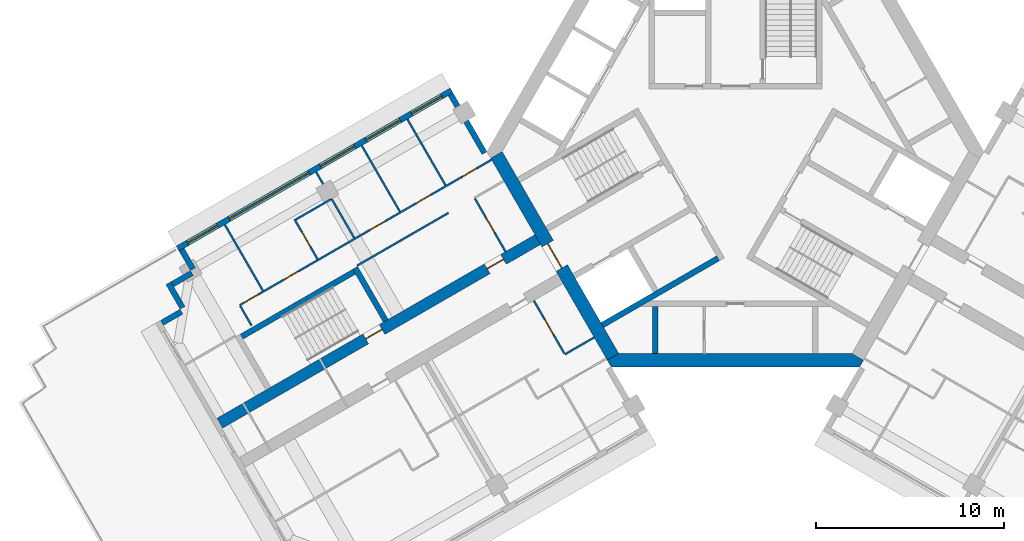
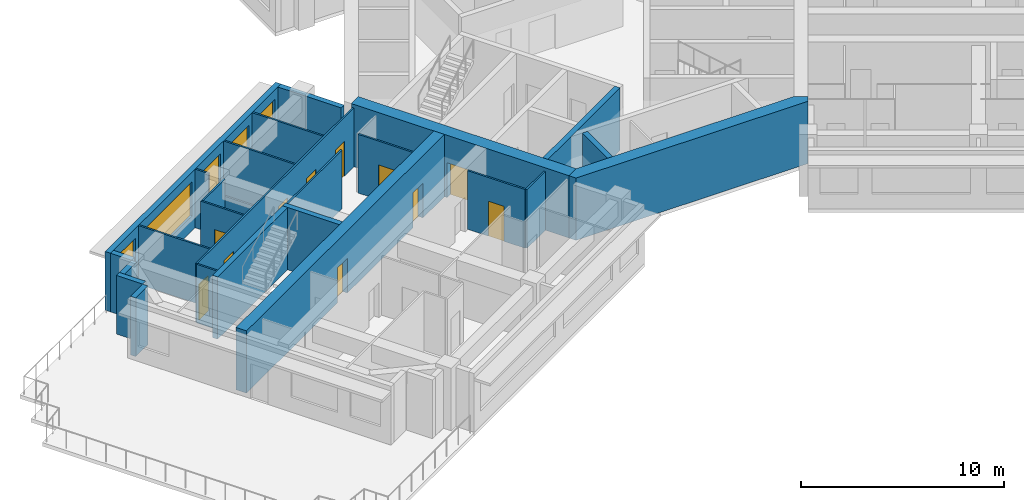
# One storey, part 3 of 11: 26 walls, 11 doors, 5 windows, 16 openings.
"""IFC4 building model written with IfcOpenShell, lengths in metres."""

from ifc_helpers import new_model, si_unit, direction, frame, frame_2d, origin, place, context, subcontext, project, spatial, polyline, rectangle, outline, extrude, material, layer, layer_set, type_object, element, fill, save


model = new_model("IFC4")

# Units and contexts
model_context = context("Model", 3, precision=1e-05, world=origin(), true_north=direction((0.0, 1.0)))
body_context = subcontext(model_context, "Body", "Model", "MODEL_VIEW")
ifc_project = project(units=[si_unit("LENGTHUNIT", "METRE"), si_unit("AREAUNIT", "SQUARE_METRE"), si_unit("VOLUMEUNIT", "CUBIC_METRE"), si_unit("PLANEANGLEUNIT", "RADIAN"), si_unit("MASSUNIT", "GRAM", prefix="KILO")], contexts=[model_context])

# Site, building, storey
site_placement = place(None, origin())
site = spatial("IfcSite", under=ifc_project, at=site_placement, CompositionType="ELEMENT")
building_placement = place(site_placement, origin())
building = spatial("IfcBuilding", under=site, at=building_placement, Name="Impinga Residences", CompositionType="ELEMENT")
storey_placement = place(building_placement, frame((0.0, 0.0, 218.5)))
storey = spatial("IfcBuildingStorey", under=building, at=storey_placement, Name="L54", CompositionType="ELEMENT", Elevation=218.5)

# Wall, openings, doors
ifc_material_1 = material(Name="Concrete C60/75", Category="concrete")
ifc_layer_1 = layer(ifc_material_1, 0.60009765625)
ifc_layer_set_1 = layer_set([ifc_layer_1], Name="Concrete C60/75")
wall_type_1 = type_object("IfcWallType", Name="BW3 corridor buttress wall, L46 to L73 600", PredefinedType="SHEAR", material=ifc_layer_set_1)
wall_1_placement = place(storey_placement, frame((-10.19677734375, -4.50146484375, 0.0), z_axis=(0.0, 0.0, 1.0), x_axis=(-0.866025214745, -0.500000327426, 0.0)))
wall_1 = element("IfcWall", 1, at=wall_1_placement, inside=storey, type_object=wall_type_1, Name="Corridor wall BW3 WD L54", PredefinedType="SHEAR", context=body_context, shape_type="SweptSolid", body=[
    extrude(rectangle(XDim=19.85009765625, YDim=0.60009765625, at=frame_2d((9.925048828125, 0.0))), origin(), (0.0, 0.0, 1.0), 3.75),
])
opening_1_placement = place(wall_1_placement, frame((9.89990234375, 0.0, 0.0)))
opening_1 = element("IfcOpeningElement", 2, at=opening_1_placement, cuts=wall_1, Name="Opening D5", PredefinedType="OPENING", context=body_context, shape_type="SweptSolid", body=[
    extrude(rectangle(XDim=1.0, YDim=2.10009765625, at=frame_2d((0.5, 1.050048828125))), frame((0.0, 0.31005859375, 0.0), z_axis=(0.0, -1.0, 0.0), x_axis=(1.0, 0.0, 0.0)), (0.0, 0.0, 1.0), 0.6201171875),
])
opening_2_placement = place(wall_1_placement, frame((2.449951171875, 0.0, 0.0)))
opening_2 = element("IfcOpeningElement", 3, at=opening_2_placement, cuts=wall_1, Name="Opening D1", PredefinedType="OPENING", context=body_context, shape_type="SweptSolid", body=[
    extrude(rectangle(XDim=1.0, YDim=2.10009765625, at=frame_2d((0.5, 1.050048828125))), frame((0.0, 0.31005859375, 0.0), z_axis=(0.0, -1.0, 0.0), x_axis=(1.0, 0.0, 0.0)), (0.0, 0.0, 1.0), 0.6201171875),
])
ifc_material_2 = material(Name="Timber door set", Category="wood")
door_type_1 = type_object("IfcDoorType", Name="D1 apartment entrance door 1000x2100", OperationType="SINGLE_SWING_LEFT", PredefinedType="DOOR", material=ifc_material_2)
door_1_placement = place(opening_2_placement, origin())
door_1 = element("IfcDoor", 4, at=door_1_placement, inside=storey, type_object=door_type_1, Name="Apartment L54-WF1 entrance", OperationType="SINGLE_SWING_LEFT", OverallHeight=2.10009765625, OverallWidth=1.0, PredefinedType="DOOR", context=body_context, shape_type="SweptSolid", body=[
    extrude(rectangle(XDim=1.0, YDim=2.10009765625, at=frame_2d((0.5, 1.050048828125))), frame((0.0, 0.02490234375, 0.0), z_axis=(0.0, -1.0, 0.0), x_axis=(1.0, 0.0, 0.0)), (0.0, 0.0, 1.0), 0.050048828125),
])
fill(opening_2, door_1)
door_type_2 = type_object("IfcDoorType", Name="D5 stair door 1000x2100", OperationType="SINGLE_SWING_LEFT", PredefinedType="DOOR", material=ifc_material_2)
door_2_placement = place(opening_1_placement, origin())
door_2 = element("IfcDoor", 5, at=door_2_placement, inside=storey, type_object=door_type_2, Name="Wing stair door W", OperationType="SINGLE_SWING_RIGHT", OverallHeight=2.10009765625, OverallWidth=1.0, PredefinedType="DOOR", context=body_context, shape_type="SweptSolid", body=[
    extrude(rectangle(XDim=1.0, YDim=2.10009765625, at=frame_2d((0.5, 1.050048828125))), frame((0.0, 0.02490234375, 0.0), z_axis=(0.0, -1.0, 0.0), x_axis=(1.0, 0.0, 0.0)), (0.0, 0.0, 1.0), 0.050048828125),
])
fill(opening_1, door_2)

# Walls
ifc_material_3 = material(Name="Terracotta rainscreen on blockwork", Category="masonry")
ifc_layer_2 = layer(ifc_material_3, 0.300048828125)
ifc_layer_set_2 = layer_set([ifc_layer_2], Name="EW1 external wall, terracotta rainscreen on blockwork 300")
wall_type_2 = type_object("IfcWallType", Name="EW1 external wall, terracotta rainscreen on blockwork 300", PredefinedType="SOLIDWALL", material=ifc_layer_set_2)
wall_2_placement = place(storey_placement, frame((-30.46240234375, -9.1005859375, 0.0), z_axis=(0.0, 0.0, 1.0), x_axis=(0.865971243484, 0.500093796661, 0.0)))
element("IfcWall", 6, at=wall_2_placement, inside=storey, type_object=wall_type_2, Name="External wall EW1 L54", PredefinedType="SOLIDWALL", context=body_context, shape_type="SweptSolid", body=[
    extrude(rectangle(XDim=1.195068359375, YDim=0.300048828125, at=frame_2d((0.59765625, 0.0))), origin(), (0.0, 0.0, 1.0), 3.530029296875),
])
wall_3_placement = place(storey_placement, frame((-29.368408203125, -8.295654296875, 0.0), z_axis=(0.0, 0.0, 1.0), x_axis=(-0.499990139034, 0.866031096941, 0.0)))
element("IfcWall", 7, at=wall_3_placement, inside=storey, type_object=wall_type_2, Name="External wall EW1 L54", PredefinedType="SOLIDWALL", context=body_context, shape_type="SweptSolid", body=[
    extrude(rectangle(XDim=1.5, YDim=0.300048828125, at=frame_2d((0.75, 0.0))), origin(), (0.0, 0.0, 1.0), 3.530029296875),
])
wall_4_placement = place(storey_placement, frame((-29.91357421875, -7.051513671875, 0.0), z_axis=(0.0, 0.0, 1.0), x_axis=(0.865971243484, 0.500093796661, 0.0)))
element("IfcWall", 8, at=wall_4_placement, inside=storey, type_object=wall_type_2, Name="External wall EW1 L54", PredefinedType="SOLIDWALL", context=body_context, shape_type="SweptSolid", body=[
    extrude(rectangle(XDim=1.195068359375, YDim=0.300048828125, at=frame_2d((0.59765625, 0.0))), origin(), (0.0, 0.0, 1.0), 3.530029296875),
])
wall_5_placement = place(storey_placement, frame((-28.8193359375, -6.24658203125, 0.0), z_axis=(0.0, 0.0, 1.0), x_axis=(-0.500033551112, 0.866006032174, 0.0)))
element("IfcWall", 9, at=wall_5_placement, inside=storey, type_object=wall_type_2, Name="External wall EW1 L54", PredefinedType="SOLIDWALL", context=body_context, shape_type="SweptSolid", body=[
    extrude(rectangle(XDim=1.2001953125, YDim=0.300048828125, at=frame_2d((0.60009765625, 0.0))), origin(), (0.0, 0.0, 1.0), 3.530029296875),
])

# Wall, openings, windows
wall_6_placement = place(storey_placement, frame((-29.624267578125, -5.15234375, 0.0), z_axis=(0.0, 0.0, 1.0), x_axis=(0.86602925447, 0.499993330357, 0.0)))
wall_6 = element("IfcWall", 10, at=wall_6_placement, inside=storey, type_object=wall_type_2, Name="External wall EW1 L54", PredefinedType="SOLIDWALL", context=body_context, shape_type="SweptSolid", body=[
    extrude(rectangle(XDim=16.800048828125, YDim=0.300048828125, at=frame_2d((8.39990234375, 0.0))), origin(), (0.0, 0.0, 1.0), 3.530029296875),
])
opening_3_placement = place(wall_6_placement, frame((0.60009765625, 0.0, 0.89990234375)))
opening_3 = element("IfcOpeningElement", 11, at=opening_3_placement, cuts=wall_6, Name="Opening W15", PredefinedType="OPENING", context=body_context, shape_type="SweptSolid", body=[
    extrude(rectangle(XDim=1.85009765625, YDim=2.050048828125, at=frame_2d((0.925048828125, 1.02490234375))), frame((0.0, 0.159912109375, 0.0), z_axis=(0.0, -1.0, 0.0), x_axis=(1.0, 0.0, 0.0)), (0.0, 0.0, 1.0), 0.320068359375),
])
opening_4_placement = place(wall_6_placement, frame((3.14990234375, 0.0, 0.89990234375)))
opening_4 = element("IfcOpeningElement", 12, at=opening_4_placement, cuts=wall_6, Name="Opening W16", PredefinedType="OPENING", context=body_context, shape_type="SweptSolid", body=[
    extrude(rectangle(XDim=4.89990234375, YDim=2.050048828125, at=frame_2d((2.449951171875, 1.02490234375))), frame((0.0, 0.159912109375, 0.0), z_axis=(0.0, -1.0, 0.0), x_axis=(1.0, 0.0, 0.0)), (0.0, 0.0, 1.0), 0.320068359375),
])
opening_5_placement = place(wall_6_placement, frame((8.75, 0.0, 0.89990234375)))
opening_5 = element("IfcOpeningElement", 13, at=opening_5_placement, cuts=wall_6, Name="Opening W9", PredefinedType="OPENING", context=body_context, shape_type="SweptSolid", body=[
    extrude(rectangle(XDim=2.10009765625, YDim=2.050048828125, at=frame_2d((1.050048828125, 1.02490234375))), frame((0.0, 0.159912109375, 0.0), z_axis=(0.0, -1.0, 0.0), x_axis=(1.0, 0.0, 0.0)), (0.0, 0.0, 1.0), 0.320068359375),
])
opening_6_placement = place(wall_6_placement, frame((11.550048828125, 0.0, 0.89990234375)))
opening_6 = element("IfcOpeningElement", 14, at=opening_6_placement, cuts=wall_6, Name="Opening W9", PredefinedType="OPENING", context=body_context, shape_type="SweptSolid", body=[
    extrude(rectangle(XDim=2.10009765625, YDim=2.050048828125, at=frame_2d((1.050048828125, 1.02490234375))), frame((0.0, 0.159912109375, 0.0), z_axis=(0.0, -1.0, 0.0), x_axis=(1.0, 0.0, 0.0)), (0.0, 0.0, 1.0), 0.320068359375),
])
opening_7_placement = place(wall_6_placement, frame((14.35009765625, 0.0, 0.89990234375)))
opening_7 = element("IfcOpeningElement", 15, at=opening_7_placement, cuts=wall_6, Name="Opening W15", PredefinedType="OPENING", context=body_context, shape_type="SweptSolid", body=[
    extrude(rectangle(XDim=1.85009765625, YDim=2.050048828125, at=frame_2d((0.925048828125, 1.02490234375))), frame((0.0, 0.159912109375, 0.0), z_axis=(0.0, -1.0, 0.0), x_axis=(1.0, 0.0, 0.0)), (0.0, 0.0, 1.0), 0.320068359375),
])
ifc_material_4 = material(Name="Aluminium window, clear double glazing", Category="aluminium")
window_type_1 = type_object("IfcWindowType", Name="W15 ribbon window 1850x2050", PartitioningType="SINGLE_PANEL", PredefinedType="WINDOW", material=ifc_material_4)
window_1_placement = place(opening_3_placement, origin())
window_1 = element("IfcWindow", 16, at=window_1_placement, inside=storey, type_object=window_type_1, Name="Window L54", OverallHeight=2.050048828125, OverallWidth=1.85009765625, PartitioningType="SINGLE_PANEL", PredefinedType="WINDOW", context=body_context, shape_type="SweptSolid", body=[
    extrude(rectangle(XDim=1.85009765625, YDim=2.050048828125, at=frame_2d((0.925048828125, 1.02490234375))), frame((0.0, 0.030029296875, 0.0), z_axis=(0.0, -1.0, 0.0), x_axis=(1.0, 0.0, 0.0)), (0.0, 0.0, 1.0), 0.06005859375),
])
fill(opening_3, window_1)
window_2_placement = place(opening_7_placement, origin())
window_2 = element("IfcWindow", 17, at=window_2_placement, inside=storey, type_object=window_type_1, Name="Window L54", OverallHeight=2.050048828125, OverallWidth=1.85009765625, PartitioningType="SINGLE_PANEL", PredefinedType="WINDOW", context=body_context, shape_type="SweptSolid", body=[
    extrude(rectangle(XDim=1.85009765625, YDim=2.050048828125, at=frame_2d((0.925048828125, 1.02490234375))), frame((0.0, 0.030029296875, 0.0), z_axis=(0.0, -1.0, 0.0), x_axis=(1.0, 0.0, 0.0)), (0.0, 0.0, 1.0), 0.06005859375),
])
fill(opening_7, window_2)
window_type_2 = type_object("IfcWindowType", Name="W16 ribbon window 4900x2050", PartitioningType="SINGLE_PANEL", PredefinedType="WINDOW", material=ifc_material_4)
window_3_placement = place(opening_4_placement, origin())
window_3 = element("IfcWindow", 18, at=window_3_placement, inside=storey, type_object=window_type_2, Name="Window L54", OverallHeight=2.050048828125, OverallWidth=4.89990234375, PartitioningType="SINGLE_PANEL", PredefinedType="WINDOW", context=body_context, shape_type="SweptSolid", body=[
    extrude(rectangle(XDim=4.89990234375, YDim=2.050048828125, at=frame_2d((2.449951171875, 1.02490234375))), frame((0.0, 0.030029296875, 0.0), z_axis=(0.0, -1.0, 0.0), x_axis=(1.0, 0.0, 0.0)), (0.0, 0.0, 1.0), 0.06005859375),
])
fill(opening_4, window_3)
window_type_3 = type_object("IfcWindowType", Name="W9 ribbon window 2100x2050", PartitioningType="SINGLE_PANEL", PredefinedType="WINDOW", material=ifc_material_4)
window_4_placement = place(opening_5_placement, origin())
window_4 = element("IfcWindow", 19, at=window_4_placement, inside=storey, type_object=window_type_3, Name="Window L54", OverallHeight=2.050048828125, OverallWidth=2.10009765625, PartitioningType="SINGLE_PANEL", PredefinedType="WINDOW", context=body_context, shape_type="SweptSolid", body=[
    extrude(rectangle(XDim=2.10009765625, YDim=2.050048828125, at=frame_2d((1.050048828125, 1.02490234375))), frame((0.0, 0.030029296875, 0.0), z_axis=(0.0, -1.0, 0.0), x_axis=(1.0, 0.0, 0.0)), (0.0, 0.0, 1.0), 0.06005859375),
])
fill(opening_5, window_4)
window_5_placement = place(opening_6_placement, origin())
window_5 = element("IfcWindow", 20, at=window_5_placement, inside=storey, type_object=window_type_3, Name="Window L54", OverallHeight=2.050048828125, OverallWidth=2.10009765625, PartitioningType="SINGLE_PANEL", PredefinedType="WINDOW", context=body_context, shape_type="SweptSolid", body=[
    extrude(rectangle(XDim=2.10009765625, YDim=2.050048828125, at=frame_2d((1.050048828125, 1.02490234375))), frame((0.0, 0.030029296875, 0.0), z_axis=(0.0, -1.0, 0.0), x_axis=(1.0, 0.0, 0.0)), (0.0, 0.0, 1.0), 0.06005859375),
])
fill(opening_6, window_5)

# Walls
wall_7_placement = place(storey_placement, frame((-15.1298828125, 3.042724609375, 0.0), z_axis=(0.0, 0.0, 1.0), x_axis=(0.500012057535, -0.866018442252, 0.0)))
element("IfcWall", 21, at=wall_7_placement, inside=storey, type_object=wall_type_2, Name="External wall EW1 L54", PredefinedType="SOLIDWALL", context=body_context, shape_type="SweptSolid", body=[
    extrude(rectangle(XDim=3.60009765625, YDim=0.300048828125, at=frame_2d((1.800048828125, 0.0))), origin(), (0.0, 0.0, 1.0), 3.530029296875),
])
ifc_material_5 = material(Name="Gypsum board on steel studs", Category="steel")
ifc_layer_3 = layer(ifc_material_5, 0.10009765625)
ifc_layer_set_3 = layer_set([ifc_layer_3], Name="Gypsum board on steel studs")
wall_type_3 = type_object("IfcWallType", Name="IP1 partition 100", PredefinedType="PARTITIONING", material=ifc_layer_set_3)
wall_8_placement = place(storey_placement, frame((-7.5, -9.872802734375, 0.0), z_axis=(0.0, 0.0, 1.0), x_axis=(-0.866047807691, -0.499961193289, 0.0)))
element("IfcWall", 22, at=wall_8_placement, inside=storey, type_object=wall_type_3, Name="Partition L54-WA1:DIV0", PredefinedType="PARTITIONING", context=body_context, shape_type="SweptSolid", body=[
    extrude(rectangle(XDim=1.800048828125, YDim=0.10009765625, at=frame_2d((0.89990234375, 0.0))), origin(), (0.0, 0.0, 1.0), 3.530029296875),
])

# Wall, opening, door
wall_9_placement = place(storey_placement, frame((-10.708740234375, -7.914794921875, 0.0), z_axis=(0.0, 0.0, 1.0), x_axis=(0.499984717929, -0.866034226713, 0.0)))
wall_9 = element("IfcWall", 23, at=wall_9_placement, inside=storey, type_object=wall_type_3, Name="Partition L54-WA1:IB1", PredefinedType="PARTITIONING", context=body_context, shape_type="SweptSolid", body=[
    extrude(rectangle(XDim=3.25, YDim=0.10009765625, at=frame_2d((1.625, 0.0))), origin(), (0.0, 0.0, 1.0), 3.530029296875),
])
opening_8_placement = place(wall_9_placement, frame((1.175048828125, 0.0, 0.0)))
opening_8 = element("IfcOpeningElement", 24, at=opening_8_placement, cuts=wall_9, Name="Opening D2", PredefinedType="OPENING", context=body_context, shape_type="SweptSolid", body=[
    extrude(rectangle(XDim=0.89990234375, YDim=2.10009765625, at=frame_2d((0.449951171875, 1.050048828125))), frame((0.0, 0.06005859375, 0.0), z_axis=(0.0, -1.0, 0.0), x_axis=(1.0, 0.0, 0.0)), (0.0, 0.0, 1.0), 0.1201171875),
])
door_type_3 = type_object("IfcDoorType", Name="D2 internal door 900x2100", OperationType="SINGLE_SWING_LEFT", PredefinedType="DOOR", material=ifc_material_2)
door_3_placement = place(opening_8_placement, origin())
door_3 = element("IfcDoor", 25, at=door_3_placement, inside=storey, type_object=door_type_3, Name="Apartment L54-WA1 bathroom door", OperationType="SINGLE_SWING_LEFT", OverallHeight=2.10009765625, OverallWidth=0.89990234375, PredefinedType="DOOR", context=body_context, shape_type="SweptSolid", body=[
    extrude(rectangle(XDim=0.89990234375, YDim=2.10009765625, at=frame_2d((0.449951171875, 1.050048828125))), frame((0.0, 0.02490234375, 0.0), z_axis=(0.0, -1.0, 0.0), x_axis=(1.0, 0.0, 0.0)), (0.0, 0.0, 1.0), 0.050048828125),
])
fill(opening_8, door_3)

# Wall
wall_10_placement = place(storey_placement, frame((-15.244384765625, -3.2587890625, 0.0), z_axis=(0.0, 0.0, 1.0), x_axis=(-0.866026594901, -0.49999793692, 0.0)))
element("IfcWall", 26, at=wall_10_placement, inside=storey, type_object=wall_type_3, Name="Partition L54-WF1:DIV1", PredefinedType="PARTITIONING", context=body_context, shape_type="SweptSolid", body=[
    extrude(rectangle(XDim=5.60009765625, YDim=0.10009765625, at=frame_2d((2.800048828125, 0.0))), origin(), (0.0, 0.0, 1.0), 3.530029296875),
])

# Wall, openings, doors
wall_11_placement = place(storey_placement, frame((-12.949951171875, -0.43310546875, 0.0), z_axis=(0.0, 0.0, 1.0), x_axis=(-0.866030066916, -0.499991923133, 0.0)))
wall_11 = element("IfcWall", 27, at=wall_11_placement, inside=storey, type_object=wall_type_3, Name="Partition L54-WF1:STRIP", PredefinedType="PARTITIONING", context=body_context, shape_type="SweptSolid", body=[
    extrude(rectangle(XDim=15.449951171875, YDim=0.10009765625, at=frame_2d((7.72509765625, 0.0))), origin(), (0.0, 0.0, 1.0), 3.530029296875),
])
opening_9_placement = place(wall_11_placement, frame((0.925048828125, 0.0, 0.0)))
opening_9 = element("IfcOpeningElement", 28, at=opening_9_placement, cuts=wall_11, Name="Opening D2", PredefinedType="OPENING", context=body_context, shape_type="SweptSolid", body=[
    extrude(rectangle(XDim=0.89990234375, YDim=2.10009765625, at=frame_2d((0.449951171875, 1.050048828125))), frame((0.0, 0.06005859375, 0.0), z_axis=(0.0, -1.0, 0.0), x_axis=(1.0, 0.0, 0.0)), (0.0, 0.0, 1.0), 0.1201171875),
])
opening_10_placement = place(wall_11_placement, frame((3.75, 0.0, 0.0)))
opening_10 = element("IfcOpeningElement", 29, at=opening_10_placement, cuts=wall_11, Name="Opening D2", PredefinedType="OPENING", context=body_context, shape_type="SweptSolid", body=[
    extrude(rectangle(XDim=0.89990234375, YDim=2.10009765625, at=frame_2d((0.449951171875, 1.050048828125))), frame((0.0, 0.06005859375, 0.0), z_axis=(0.0, -1.0, 0.0), x_axis=(1.0, 0.0, 0.0)), (0.0, 0.0, 1.0), 0.1201171875),
])
opening_11_placement = place(wall_11_placement, frame((6.550048828125, 0.0, 0.0)))
opening_11 = element("IfcOpeningElement", 30, at=opening_11_placement, cuts=wall_11, Name="Opening D2", PredefinedType="OPENING", context=body_context, shape_type="SweptSolid", body=[
    extrude(rectangle(XDim=0.89990234375, YDim=2.10009765625, at=frame_2d((0.449951171875, 1.050048828125))), frame((0.0, 0.06005859375, 0.0), z_axis=(0.0, -1.0, 0.0), x_axis=(1.0, 0.0, 0.0)), (0.0, 0.0, 1.0), 0.1201171875),
])
opening_12_placement = place(wall_11_placement, frame((11.875, 0.0, 0.0)))
opening_12 = element("IfcOpeningElement", 31, at=opening_12_placement, cuts=wall_11, Name="Opening D2", PredefinedType="OPENING", context=body_context, shape_type="SweptSolid", body=[
    extrude(rectangle(XDim=0.89990234375, YDim=2.10009765625, at=frame_2d((0.449951171875, 1.050048828125))), frame((0.0, 0.06005859375, 0.0), z_axis=(0.0, -1.0, 0.0), x_axis=(1.0, 0.0, 0.0)), (0.0, 0.0, 1.0), 0.1201171875),
])
opening_13_placement = place(wall_11_placement, frame((14.300048828125, 0.0, 0.0)))
opening_13 = element("IfcOpeningElement", 32, at=opening_13_placement, cuts=wall_11, Name="Opening D2", PredefinedType="OPENING", context=body_context, shape_type="SweptSolid", body=[
    extrude(rectangle(XDim=0.89990234375, YDim=2.10009765625, at=frame_2d((0.449951171875, 1.050048828125))), frame((0.0, 0.06005859375, 0.0), z_axis=(0.0, -1.0, 0.0), x_axis=(1.0, 0.0, 0.0)), (0.0, 0.0, 1.0), 0.1201171875),
])
door_4_placement = place(opening_9_placement, origin())
door_4 = element("IfcDoor", 33, at=door_4_placement, inside=storey, type_object=door_type_3, Name="Apartment L54-WF1 room door", OperationType="SINGLE_SWING_LEFT", OverallHeight=2.10009765625, OverallWidth=0.89990234375, PredefinedType="DOOR", context=body_context, shape_type="SweptSolid", body=[
    extrude(rectangle(XDim=0.89990234375, YDim=2.10009765625, at=frame_2d((0.449951171875, 1.050048828125))), frame((0.0, 0.02490234375, 0.0), z_axis=(0.0, -1.0, 0.0), x_axis=(1.0, 0.0, 0.0)), (0.0, 0.0, 1.0), 0.050048828125),
])
fill(opening_9, door_4)
door_5_placement = place(opening_10_placement, origin())
door_5 = element("IfcDoor", 34, at=door_5_placement, inside=storey, type_object=door_type_3, Name="Apartment L54-WF1 room door", OperationType="SINGLE_SWING_LEFT", OverallHeight=2.10009765625, OverallWidth=0.89990234375, PredefinedType="DOOR", context=body_context, shape_type="SweptSolid", body=[
    extrude(rectangle(XDim=0.89990234375, YDim=2.10009765625, at=frame_2d((0.449951171875, 1.050048828125))), frame((0.0, 0.02490234375, 0.0), z_axis=(0.0, -1.0, 0.0), x_axis=(1.0, 0.0, 0.0)), (0.0, 0.0, 1.0), 0.050048828125),
])
fill(opening_10, door_5)
door_6_placement = place(opening_11_placement, origin())
door_6 = element("IfcDoor", 35, at=door_6_placement, inside=storey, type_object=door_type_3, Name="Apartment L54-WF1 room door", OperationType="SINGLE_SWING_LEFT", OverallHeight=2.10009765625, OverallWidth=0.89990234375, PredefinedType="DOOR", context=body_context, shape_type="SweptSolid", body=[
    extrude(rectangle(XDim=0.89990234375, YDim=2.10009765625, at=frame_2d((0.449951171875, 1.050048828125))), frame((0.0, 0.02490234375, 0.0), z_axis=(0.0, -1.0, 0.0), x_axis=(1.0, 0.0, 0.0)), (0.0, 0.0, 1.0), 0.050048828125),
])
fill(opening_11, door_6)
door_7_placement = place(opening_12_placement, origin())
door_7 = element("IfcDoor", 36, at=door_7_placement, inside=storey, type_object=door_type_3, Name="Apartment L54-WF1 room door", OperationType="SINGLE_SWING_RIGHT", OverallHeight=2.10009765625, OverallWidth=0.89990234375, PredefinedType="DOOR", context=body_context, shape_type="SweptSolid", body=[
    extrude(rectangle(XDim=0.89990234375, YDim=2.10009765625, at=frame_2d((0.449951171875, 1.050048828125))), frame((0.0, 0.02490234375, 0.0), z_axis=(0.0, -1.0, 0.0), x_axis=(1.0, 0.0, 0.0)), (0.0, 0.0, 1.0), 0.050048828125),
])
fill(opening_12, door_7)
door_8_placement = place(opening_13_placement, origin())
door_8 = element("IfcDoor", 37, at=door_8_placement, inside=storey, type_object=door_type_3, Name="Apartment L54-WF1 room door", OperationType="SINGLE_SWING_RIGHT", OverallHeight=2.10009765625, OverallWidth=0.89990234375, PredefinedType="DOOR", context=body_context, shape_type="SweptSolid", body=[
    extrude(rectangle(XDim=0.89990234375, YDim=2.10009765625, at=frame_2d((0.449951171875, 1.050048828125))), frame((0.0, 0.02490234375, 0.0), z_axis=(0.0, -1.0, 0.0), x_axis=(1.0, 0.0, 0.0)), (0.0, 0.0, 1.0), 0.050048828125),
])
fill(opening_13, door_8)

# Wall
wall_12_placement = place(storey_placement, frame((-25.705078125, -9.240478515625, 0.0), z_axis=(0.0, 0.0, 1.0), x_axis=(-0.50012165622, 0.865955154139, 0.0)))
element("IfcWall", 38, at=wall_12_placement, inside=storey, type_object=wall_type_3, Name="Partition L54-WF1:SE1", PredefinedType="PARTITIONING", context=body_context, shape_type="SweptSolid", body=[
    extrude(rectangle(XDim=1.199951171875, YDim=0.10009765625, at=frame_2d((0.60009765625, 0.0))), origin(), (0.0, 0.0, 1.0), 3.530029296875),
])

# Wall, opening, door
wall_13_placement = place(storey_placement, frame((-12.208740234375, -5.316650390625, 0.0), z_axis=(0.0, 0.0, 1.0), x_axis=(-0.500017246033, 0.866015446554, 0.0)))
wall_13 = element("IfcWall", 39, at=wall_13_placement, inside=storey, type_object=wall_type_3, Name="Partition L54-WF1:IB1", PredefinedType="PARTITIONING", context=body_context, shape_type="SweptSolid", body=[
    extrude(rectangle(XDim=3.25, YDim=0.10009765625, at=frame_2d((1.625, 0.0))), origin(), (0.0, 0.0, 1.0), 3.530029296875),
])
opening_14_placement = place(wall_13_placement, frame((1.175048828125, 0.0, 0.0)))
opening_14 = element("IfcOpeningElement", 40, at=opening_14_placement, cuts=wall_13, Name="Opening D2", PredefinedType="OPENING", context=body_context, shape_type="SweptSolid", body=[
    extrude(rectangle(XDim=0.89990234375, YDim=2.10009765625, at=frame_2d((0.449951171875, 1.050048828125))), frame((0.0, 0.06005859375, 0.0), z_axis=(0.0, -1.0, 0.0), x_axis=(1.0, 0.0, 0.0)), (0.0, 0.0, 1.0), 0.1201171875),
])
door_9_placement = place(opening_14_placement, origin())
door_9 = element("IfcDoor", 41, at=door_9_placement, inside=storey, type_object=door_type_3, Name="Apartment L54-WF1 bathroom door", OperationType="SINGLE_SWING_LEFT", OverallHeight=2.10009765625, OverallWidth=0.89990234375, PredefinedType="DOOR", context=body_context, shape_type="SweptSolid", body=[
    extrude(rectangle(XDim=0.89990234375, YDim=2.10009765625, at=frame_2d((0.449951171875, 1.050048828125))), frame((0.0, 0.02490234375, 0.0), z_axis=(0.0, -1.0, 0.0), x_axis=(1.0, 0.0, 0.0)), (0.0, 0.0, 1.0), 0.050048828125),
])
fill(opening_14, door_9)

# Walls
for number, where, z_axis, x_axis, name in (
    (42, (-15.39990234375, -1.789794921875, 0.0), (0.0, 0.0, 1.0), (-0.499964223975, 0.866046058097, 0.0), "Partition L54-WF1:OB1"),
    (43, (-17.82470703125, -3.189697265625, 0.0), (0.0, 0.0, 1.0), (-0.500035537042, 0.866004885491, 0.0), "Partition L54-WF1:OB2"),
):
    element("IfcWall", number, at=place(storey_placement, frame(where, z_axis=z_axis, x_axis=x_axis)), inside=storey, type_object=wall_type_3, Name=name, PredefinedType="PARTITIONING", context=body_context, shape_type="SweptSolid", body=[
        extrude(rectangle(XDim=4.050048828125, YDim=0.10009765625, at=frame_2d((2.02490234375, 0.0))), origin(), (0.0, 0.0, 1.0), 3.530029296875),
    ])
wall_14_placement = place(storey_placement, frame((-20.24951171875, -4.589599609375, 0.0), z_axis=(0.0, 0.0, 1.0), x_axis=(-0.500077600433, 0.865980596518, 0.0)))
element("IfcWall", 44, at=wall_14_placement, inside=storey, type_object=wall_type_3, Name="Partition L54-WF1:OB3", PredefinedType="PARTITIONING", context=body_context, shape_type="SweptSolid", body=[
    extrude(rectangle(XDim=2.39990234375, YDim=0.10009765625, at=frame_2d((1.199951171875, 0.0))), origin(), (0.0, 0.0, 1.0), 2.47998046875),
])
wall_15_placement = place(storey_placement, frame((-21.899658203125, -1.73193359375, 0.0), z_axis=(0.0, 0.0, 1.0), x_axis=(-0.499919672301, 0.866071776036, 0.0)))
element("IfcWall", 45, at=wall_15_placement, inside=storey, type_object=wall_type_3, Name="Partition L54-WF1:OB3b", PredefinedType="PARTITIONING", context=body_context, shape_type="SweptSolid", body=[
    extrude(rectangle(XDim=0.75, YDim=0.10009765625, at=frame_2d((0.375, 0.0))), origin(), (0.0, 0.0, 1.0), 3.530029296875),
])
wall_16_placement = place(storey_placement, frame((-25.099365234375, -7.3896484375, 0.0), z_axis=(0.0, 0.0, 1.0), x_axis=(-0.499990325971, 0.866030989016, 0.0)))
element("IfcWall", 46, at=wall_16_placement, inside=storey, type_object=wall_type_3, Name="Partition L54-WF1:OB4", PredefinedType="PARTITIONING", context=body_context, shape_type="SweptSolid", body=[
    extrude(rectangle(XDim=4.0498046875, YDim=0.10009765625, at=frame_2d((2.02490234375, 0.0))), origin(), (0.0, 0.0, 1.0), 3.530029296875),
])

# Wall, opening, door
wall_17_placement = place(storey_placement, frame((-22.1982421875, -5.714599609375, 0.0), z_axis=(0.0, 0.0, 1.0), x_axis=(-0.499987006516, 0.866032905446, 0.0)))
wall_17 = element("IfcWall", 47, at=wall_17_placement, inside=storey, type_object=wall_type_3, Name="Partition L54-WF1:EN1", PredefinedType="PARTITIONING", context=body_context, shape_type="SweptSolid", body=[
    extrude(rectangle(XDim=2.44970703125, YDim=0.10009765625, at=frame_2d((1.224853515625, 0.0))), origin(), (0.0, 0.0, 1.0), 3.530029296875),
])
opening_15_placement = place(wall_17_placement, frame((0.75, 0.0, 0.0)))
opening_15 = element("IfcOpeningElement", 48, at=opening_15_placement, cuts=wall_17, Name="Opening D2", PredefinedType="OPENING", context=body_context, shape_type="SweptSolid", body=[
    extrude(rectangle(XDim=0.89990234375, YDim=2.10009765625, at=frame_2d((0.449951171875, 1.050048828125))), frame((0.0, 0.06005859375, 0.0), z_axis=(0.0, -1.0, 0.0), x_axis=(1.0, 0.0, 0.0)), (0.0, 0.0, 1.0), 0.1201171875),
])
door_10_placement = place(opening_15_placement, origin())
door_10 = element("IfcDoor", 49, at=door_10_placement, inside=storey, type_object=door_type_3, Name="Apartment L54-WF1 en-suite door", OperationType="SINGLE_SWING_LEFT", OverallHeight=2.10009765625, OverallWidth=0.89990234375, PredefinedType="DOOR", context=body_context, shape_type="SweptSolid", body=[
    extrude(rectangle(XDim=0.89990234375, YDim=2.10009765625, at=frame_2d((0.449951171875, 1.050048828125))), frame((0.0, 0.02490234375, 0.0), z_axis=(0.0, -1.0, 0.0), x_axis=(1.0, 0.0, 0.0)), (0.0, 0.0, 1.0), 0.050048828125),
])
fill(opening_15, door_10)

# Walls
wall_18_placement = place(storey_placement, frame((-21.492919921875, -2.5361328125, 0.0), z_axis=(0.0, 0.0, 1.0), x_axis=(-0.865998386012, -0.500046793234, 0.0)))
element("IfcWall", 50, at=wall_18_placement, inside=storey, type_object=wall_type_3, Name="Partition L54-WF1:EN2", PredefinedType="PARTITIONING", context=body_context, shape_type="SweptSolid", body=[
    extrude(rectangle(XDim=2.150146484375, YDim=0.10009765625, at=frame_2d((1.0751953125, 0.0))), origin(), (0.0, 0.0, 1.0), 3.530029296875),
])
ifc_layer_4 = layer(ifc_material_1, 0.300048828125)
ifc_layer_set_4 = layer_set([ifc_layer_4], Name="Concrete C60/75")
wall_type_4 = type_object("IfcWallType", Name="SE1 wing stair enclosure wall 300", PredefinedType="SOLIDWALL", material=ifc_layer_set_4)
wall_19_placement = place(storey_placement, frame((-18.57421875, -8.99169921875, 0.0), z_axis=(0.0, 0.0, 1.0), x_axis=(-0.500017246033, 0.866015446554, 0.0)))
element("IfcWall", 51, at=wall_19_placement, inside=storey, type_object=wall_type_4, Name="Stair enclosure wall SE1 W END0 L54", PredefinedType="SOLIDWALL", context=body_context, shape_type="SweptSolid", body=[
    extrude(rectangle(XDim=3.25, YDim=0.300048828125, at=frame_2d((1.625, 0.0))), origin(), (0.0, 0.0, 1.0), 3.75),
])
wall_20_placement = place(storey_placement, frame((-20.254150390625, -6.382080078125, 0.0), z_axis=(0.0, 0.0, 1.0), x_axis=(-0.866020008033, -0.500009345598, 0.0)))
element("IfcWall", 52, at=wall_20_placement, inside=storey, type_object=wall_type_4, Name="Stair enclosure wall SE1 W OUT L54", PredefinedType="SOLIDWALL", context=body_context, shape_type="SweptSolid", body=[
    extrude(rectangle(XDim=6.899658203125, YDim=0.300048828125, at=frame_2d((3.44970703125, 0.0))), origin(), (0.0, 0.0, 1.0), 3.75),
])

# Wall, opening, door
ifc_layer_5 = layer(ifc_material_1, 0.699951171875)
ifc_layer_set_5 = layer_set([ifc_layer_5], Name="Concrete C60/75")
wall_type_5 = type_object("IfcWallType", Name="SW3 core wall 700", PredefinedType="SHEAR", material=ifc_layer_set_5)
wall_21_placement = place(storey_placement, frame((-6.4990234375, -10.906494140625, 0.0), z_axis=(0.0, 0.0, 1.0), x_axis=(-0.499999875397, 0.866025475724, 0.0)))
wall_21 = element("IfcWall", 53, at=wall_21_placement, inside=storey, type_object=wall_type_5, Name="Core wall SW3 W:FACE L54", PredefinedType="SHEAR", context=body_context, shape_type="SweptSolid", body=[
    extrude(rectangle(XDim=12.3916015625, YDim=0.699951171875, at=frame_2d((6.19580078125, 0.0))), origin(), (0.0, 0.0, 1.0), 3.75),
])
opening_16_placement = place(wall_21_placement, frame((5.44580078125, 0.0, 0.0)))
opening_16 = element("IfcOpeningElement", 54, at=opening_16_placement, cuts=wall_21, Name="Opening D4", PredefinedType="OPENING", context=body_context, shape_type="SweptSolid", body=[
    extrude(rectangle(XDim=1.5, YDim=2.10009765625, at=frame_2d((0.75, 1.050048828125))), frame((0.0, 0.35986328125, 0.0), z_axis=(0.0, -1.0, 0.0), x_axis=(1.0, 0.0, 0.0)), (0.0, 0.0, 1.0), 0.719970703125),
])
door_type_4 = type_object("IfcDoorType", Name="D4 lobby door pair 1500x2100", OperationType="DOUBLE_DOOR_DOUBLE_SWING", PredefinedType="DOOR", material=ifc_material_2)
door_11_placement = place(opening_16_placement, origin())
door_11 = element("IfcDoor", 55, at=door_11_placement, inside=storey, type_object=door_type_4, Name="Lobby door W", OperationType="DOUBLE_DOOR_DOUBLE_SWING", OverallHeight=2.10009765625, OverallWidth=1.5, PredefinedType="DOOR", context=body_context, shape_type="SweptSolid", body=[
    extrude(rectangle(XDim=1.5, YDim=2.10009765625, at=frame_2d((0.75, 1.050048828125))), frame((0.0, 0.02490234375, 0.0), z_axis=(0.0, -1.0, 0.0), x_axis=(1.0, 0.0, 0.0)), (0.0, 0.0, 1.0), 0.050048828125),
])
fill(opening_16, door_11)

# Walls
wall_22_placement = place(storey_placement, origin())
element("IfcWall", 56, at=wall_22_placement, inside=storey, type_object=wall_type_5, Name="Core wall SW3 N:EXPOSED L54", PredefinedType="SHEAR", context=body_context, shape_type="SweptSolid", body=[
    extrude(outline(polyline([(-6.60009765625, -11.431640625), (6.60009765625, -11.431640625), (6.802001953125, -11.08154296875), (6.19580078125, -10.7314453125), (-6.19580078125, -10.7314453125), (-6.802001953125, -11.08154296875), (-6.60009765625, -11.431640625)])), origin(), (0.0, 0.0, 1.0), 3.75),
])
ifc_material_6 = material(Name="Concrete C70/85", Category="concrete")
ifc_layer_6 = layer(ifc_material_6, 0.300048828125)
ifc_layer_set_6 = layer_set([ifc_layer_6], Name="Concrete C70/85")
wall_type_6 = type_object("IfcWallType", Name="SW5 core inner wall, stairs, shafts and lobbies 300", PredefinedType="SHEAR", material=ifc_layer_set_6)
wall_23_placement = place(storey_placement, frame((-0.918701171875, -5.668701171875, 0.0), z_axis=(0.0, 0.0, 1.0), x_axis=(-0.866025859768, -0.499999210213, 0.0)))
element("IfcWall", 57, at=wall_23_placement, inside=storey, type_object=wall_type_6, Name="Core wall SW5 W:FF-OUT L54", PredefinedType="SHEAR", context=body_context, shape_type="SweptSolid", body=[
    extrude(rectangle(XDim=7.1015625, YDim=0.300048828125, at=frame_2d((3.55078125, 0.0))), origin(), (0.0, 0.0, 1.0), 3.75),
])
wall_24_placement = place(storey_placement, frame((-4.25, -8.2314453125, 0.0), z_axis=(0.0, 0.0, 1.0), x_axis=(0.0, -1.0, 0.0)))
element("IfcWall", 58, at=wall_24_placement, inside=storey, type_object=wall_type_6, Name="Core wall SW5 N:BANK-R L54", PredefinedType="SHEAR", context=body_context, shape_type="SweptSolid", body=[
    extrude(rectangle(XDim=2.5, YDim=0.300048828125, at=frame_2d((1.25, 0.0))), origin(), (0.0, 0.0, 1.0), 3.75),
])

save(model, "model.ifc")
